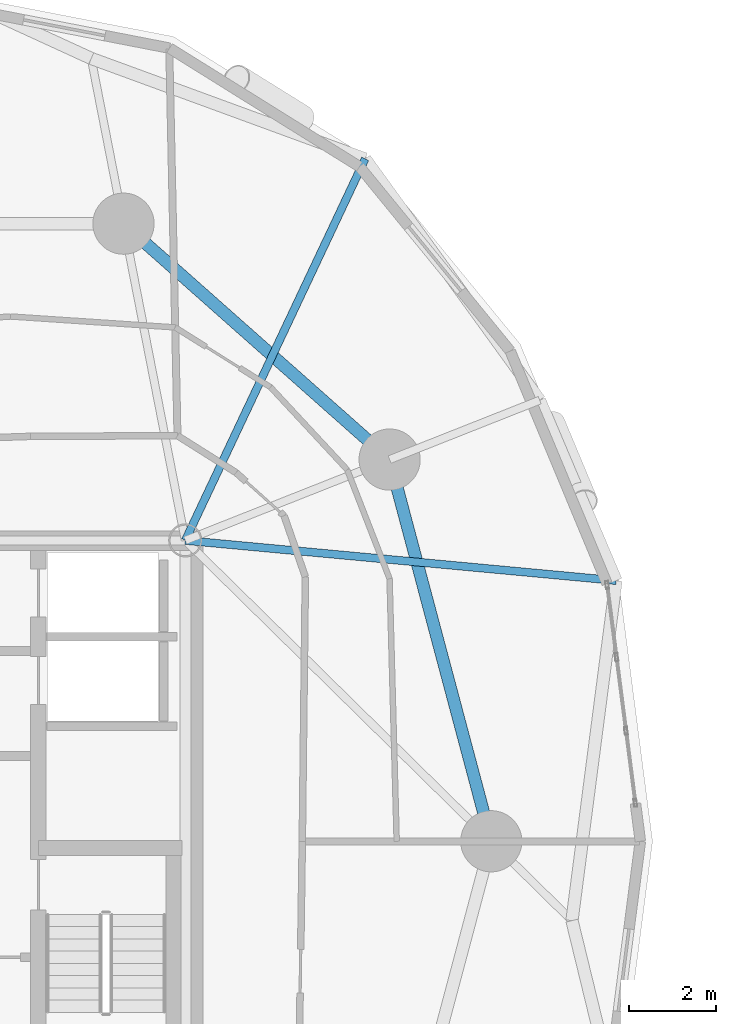
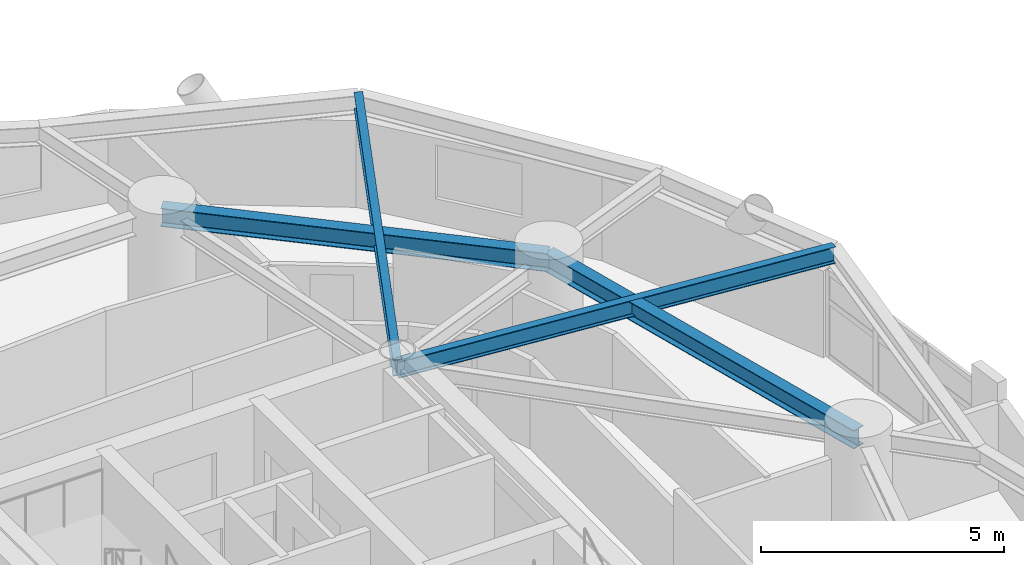
# One storey, part 3 of 18: 4 beams.
"""IFC4 building model written with IfcOpenShell, lengths in metres."""

from ifc_helpers import new_model, si_unit, direction, frame, origin, origin_2d, place, context, subcontext, project, spatial, i_section, extrude, material, material_profile, profile_set, type_object, element, save


model = new_model("IFC4")

# Units and contexts
model_context = context("Model", 3, precision=1e-05, world=origin(), true_north=direction((0.0, 1.0)))
body_context = subcontext(model_context, "Body", "Model", "MODEL_VIEW")
ifc_project = project(units=[si_unit("LENGTHUNIT", "METRE"), si_unit("AREAUNIT", "SQUARE_METRE"), si_unit("VOLUMEUNIT", "CUBIC_METRE"), si_unit("PLANEANGLEUNIT", "RADIAN"), si_unit("MASSUNIT", "GRAM", prefix="KILO")], contexts=[model_context])

# Site, building, storey
site_placement = place(None, origin())
site = spatial("IfcSite", under=ifc_project, at=site_placement, CompositionType="ELEMENT")
building_placement = place(site_placement, origin())
building = spatial("IfcBuilding", under=site, at=building_placement, Name="Cununo Teusaquillo Station Towers", CompositionType="ELEMENT")
storey_placement = place(building_placement, frame((0.0, 0.0, 87.610107421875)))
storey = spatial("IfcBuildingStorey", under=building, at=storey_placement, Name="L27", CompositionType="ELEMENT", Elevation=87.610107421875)

# Beams
ifc_material_1 = material(Name="Steel ASTM A572 Grade 50", Category="steel")
ifc_material_profile_1 = material_profile(ifc_material_1, i_section(OverallWidth=0.180908203125, OverallDepth=0.4169921875, WebThickness=0.010986328125, FlangeThickness=0.018310546875, FilletRadius=0.012939453125, at=origin_2d()), Name="W16X57")
ifc_profile_set_1 = profile_set([ifc_material_profile_1], Name="Steel ASTM A572 Grade 50")
beam_type_1 = type_object("IfcBeamType", Name="BM-JOIST-1", PredefinedType="JOIST", material=ifc_profile_set_1)
beam_1_placement = place(storey_placement, frame((21.675048828125, 31.3798828125, 2.46142578125), z_axis=(0.995678537907, -0.09286683558, 0.0), x_axis=(0.09286683558, 0.995678537907, 0.0)))
element("IfcBeam", 1, at=beam_1_placement, inside=storey, type_object=beam_type_1, Name="L27 Tower A Radial Spandrel Joist V01", PredefinedType="JOIST", context=body_context, shape_type="SweptSolid", body=[
    extrude(i_section(OverallWidth=0.180908203125, OverallDepth=0.4169921875, WebThickness=0.010986328125, FlangeThickness=0.018310546875, FilletRadius=0.012939453125, at=origin_2d()), origin(), (0.0, 0.0, 1.0), 9.895263671875),
])
beam_2_placement = place(storey_placement, frame((21.675048828125, 31.3798828125, 2.46142578125), z_axis=(0.426319838016, 0.904572493344, 0.0), x_axis=(-0.904572493344, 0.426319838016, 0.0)))
element("IfcBeam", 2, at=beam_2_placement, inside=storey, type_object=beam_type_1, Name="L27 Tower A Radial Spandrel Joist V03", PredefinedType="JOIST", context=body_context, shape_type="SweptSolid", body=[
    extrude(i_section(OverallWidth=0.180908203125, OverallDepth=0.4169921875, WebThickness=0.010986328125, FlangeThickness=0.018310546875, FilletRadius=0.012939453125, at=origin_2d()), origin(), (0.0, 0.0, 1.0), 9.646728515625),
])
ifc_material_2 = material(Name="Steel ASTM A572 Grade 50", Category="steel")
ifc_material_profile_2 = material_profile(ifc_material_2, i_section(OverallWidth=0.280029296875, OverallDepth=0.462890625, WebThickness=0.0107421875, FlangeThickness=0.017333984375, FilletRadius=0.013916015625, at=origin_2d()), Name="W18X76")
ifc_profile_set_2 = profile_set([ifc_material_profile_2], Name="Steel ASTM A572 Grade 50")
beam_type_2 = type_object("IfcBeamType", Name="BM-RING-Z2", PredefinedType="SPANDREL", material=ifc_profile_set_2)
beam_3_placement = place(storey_placement, frame((28.672119140625, 24.5, 2.4384765625), z_axis=(-0.257363196347, 0.966314744359, 0.0), x_axis=(-0.966314744359, -0.257363196347, 0.0)))
element("IfcBeam", 3, at=beam_3_placement, inside=storey, type_object=beam_type_2, Name="L27 Tower A Structural Column Ring Girder 01", PredefinedType="SPANDREL", context=body_context, shape_type="SweptSolid", body=[
    extrude(i_section(OverallWidth=0.280029296875, OverallDepth=0.462890625, WebThickness=0.0107421875, FlangeThickness=0.017333984375, FilletRadius=0.013916015625, at=origin_2d()), origin(), (0.0, 0.0, 1.0), 9.03271484375),
])
beam_4_placement = place(storey_placement, frame((26.347412109375, 33.228515625, 2.4384765625), z_axis=(-0.74832120039, 0.66333655187, 0.0), x_axis=(-0.66333655187, -0.74832120039, 0.0)))
element("IfcBeam", 4, at=beam_4_placement, inside=storey, type_object=beam_type_2, Name="L27 Tower A Structural Column Ring Girder 02", PredefinedType="SPANDREL", context=body_context, shape_type="SweptSolid", body=[
    extrude(i_section(OverallWidth=0.280029296875, OverallDepth=0.462890625, WebThickness=0.0107421875, FlangeThickness=0.017333984375, FilletRadius=0.013916015625, at=origin_2d()), origin(), (0.0, 0.0, 1.0), 8.1328125),
])

save(model, "model.ifc")
